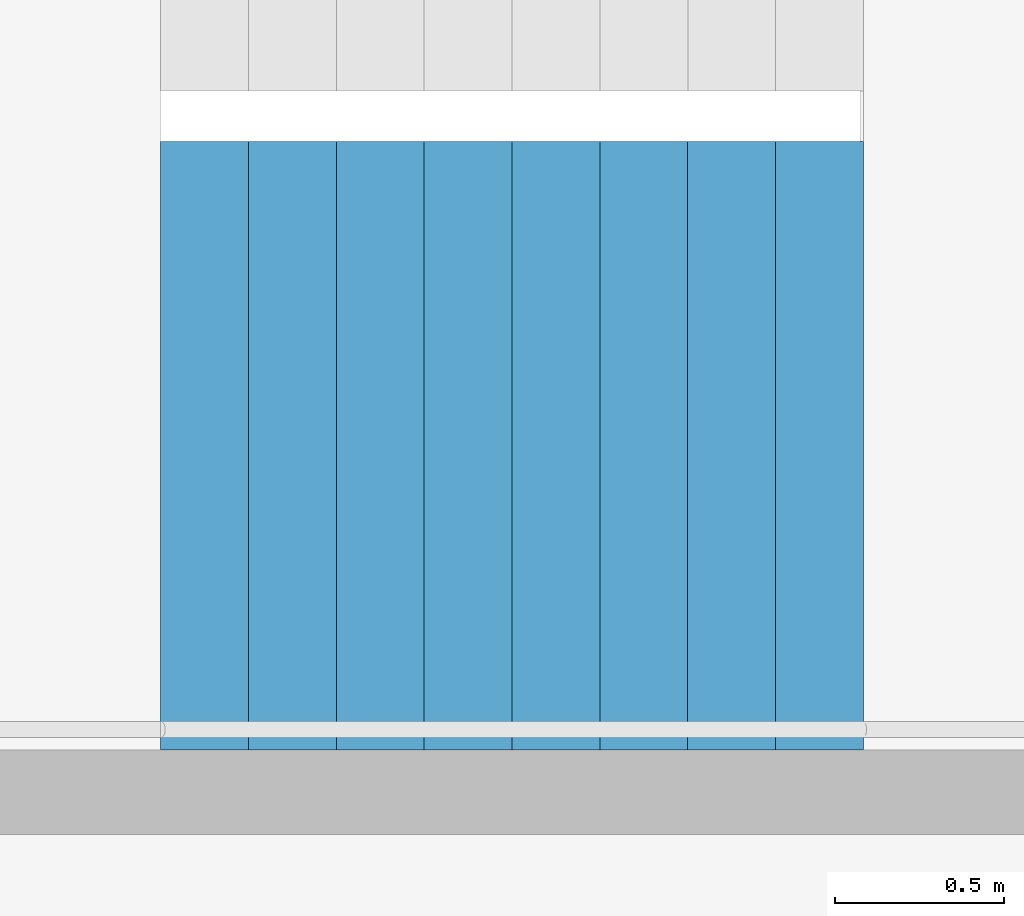
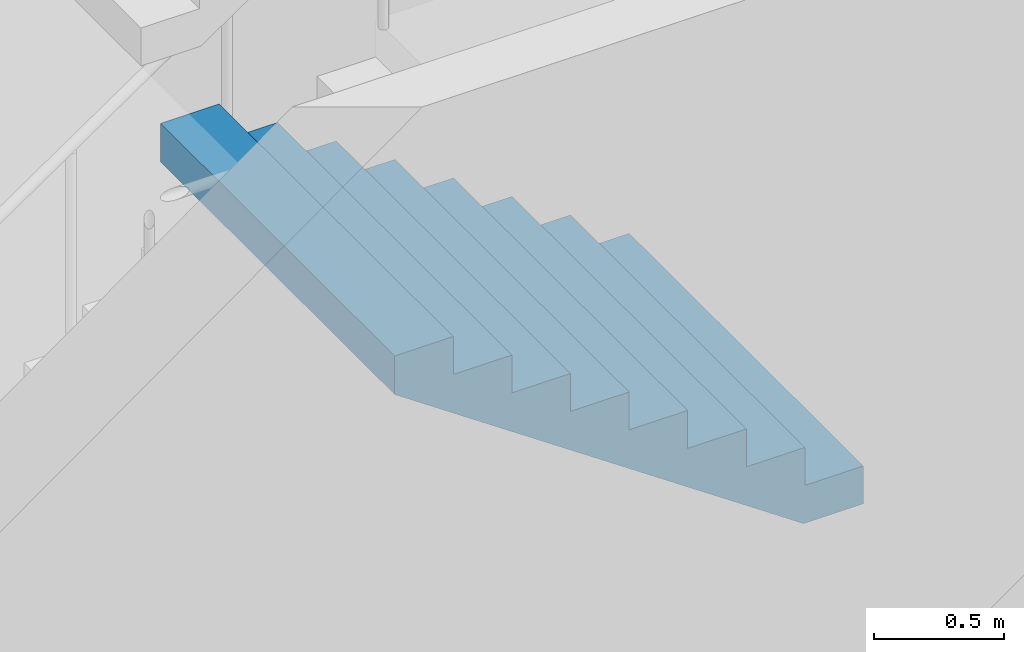
# One storey, part 28 of 41: 1 stair flight, 1 element without a shape of its own.
"""IFC4 building model written with IfcOpenShell, lengths in metres."""

from ifc_helpers import new_model, si_unit, direction, frame, origin, place, context, subcontext, project, spatial, triangles, material, type_object, element, aggregate, save


model = new_model("IFC4")

# Units and contexts
model_context = context("Model", 3, precision=1e-05, world=origin(), true_north=direction((0.0, 1.0)))
body_context = subcontext(model_context, "Body", "Model", "MODEL_VIEW")
ifc_project = project(units=[si_unit("LENGTHUNIT", "METRE"), si_unit("AREAUNIT", "SQUARE_METRE"), si_unit("VOLUMEUNIT", "CUBIC_METRE"), si_unit("PLANEANGLEUNIT", "RADIAN"), si_unit("MASSUNIT", "GRAM", prefix="KILO")], contexts=[model_context])

# Site, building, storey
site_placement = place(None, origin())
site = spatial("IfcSite", under=ifc_project, at=site_placement, CompositionType="ELEMENT")
building_placement = place(site_placement, origin())
building = spatial("IfcBuilding", under=site, at=building_placement, Name="Hakoniwa Tower and Hamabe Station Hall", CompositionType="ELEMENT")
storey_placement = place(building_placement, frame((0.0, 0.0, 180.199951171875)))
storey = spatial("IfcBuildingStorey", under=building, at=storey_placement, Name="L51", CompositionType="ELEMENT", Elevation=180.199951171875)

# Stair, stair flight
ifc_material_1 = material(Name="Concrete C40", Category="concrete")
stair_type = type_object("IfcStairType", Name="ESCAPE STAIR 1800", PredefinedType="HALF_TURN_STAIR", material=ifc_material_1)
stair_placement = place(storey_placement, origin())
stair = element("IfcStair", 1, at=stair_placement, inside=storey, type_object=stair_type, Name="Escape stair ST-3 L51", PredefinedType="HALF_TURN_STAIR")
ifc_material_2 = material(Name="Concrete C40", Category="concrete")
stair_flight_type = type_object("IfcStairFlightType", Name="STAIR FLIGHT 1800", PredefinedType="STRAIGHT", material=ifc_material_2)
stair_flight_placement = place(storey_placement, frame((24.39990234375, 4.64990234375, 3.199951171875), z_axis=(0.0, 0.0, 1.0), x_axis=(-1.0, 0.0, 0.0)))
stair_flight = element("IfcStairFlight", 2, at=stair_flight_placement, type_object=stair_flight_type, Name="ST-3 flight 3", NumberOfRisers=9, NumberOfTreads=8, PredefinedType="STRAIGHT", RiserHeight=0.177777778, TreadLength=0.26, context=body_context, shape_type="Tessellation", body=[
    triangles([(0.0, 0.89990234375, 0.0), (0.260009765625, 0.89990234375, 0.0), (0.265625, 0.89990234375, 0.0), (0.52001953125, 0.89990234375, 0.174072265625), (0.780029296875, 0.89990234375, 0.351806640625), (1.0400390625, 0.89990234375, 0.529541015625), (1.300048828125, 0.89990234375, 0.707275390625), (1.56005859375, 0.89990234375, 0.885009765625), (1.820068359375, 0.89990234375, 1.062744140625), (2.080078125, 0.89990234375, 1.24072265625), (2.080078125, 0.89990234375, 1.422119140625), (1.820068359375, 0.89990234375, 1.422119140625), (1.820068359375, 0.89990234375, 1.244384765625), (1.56005859375, 0.89990234375, 1.244384765625), (1.56005859375, 0.89990234375, 1.066650390625), (1.300048828125, 0.89990234375, 1.066650390625), (1.300048828125, 0.89990234375, 0.888916015625), (1.0400390625, 0.89990234375, 0.888916015625), (1.0400390625, 0.89990234375, 0.711181640625), (0.780029296875, 0.89990234375, 0.711181640625), (0.780029296875, 0.89990234375, 0.533447265625), (0.52001953125, 0.89990234375, 0.533447265625), (0.52001953125, 0.89990234375, 0.35546875), (0.265625, 0.89990234375, 0.35546875), (0.260009765625, 0.89990234375, 0.35546875), (0.260009765625, 0.89990234375, 0.177734375), (0.0, 0.89990234375, 0.177734375), (0.0, 0.06005859375, 0.0), (0.260009765625, 0.06005859375, 0.0), (0.265625, 0.06005859375, 0.0), (0.52001953125, 0.06005859375, 0.174072265625), (0.780029296875, 0.06005859375, 0.351806640625), (1.0400390625, 0.06005859375, 0.529541015625), (1.300048828125, 0.06005859375, 0.707275390625), (1.56005859375, 0.06005859375, 0.885009765625), (1.820068359375, 0.06005859375, 1.062744140625), (2.080078125, 0.06005859375, 1.24072265625), (2.080078125, 0.06005859375, 1.422119140625), (1.820068359375, 0.06005859375, 1.422119140625), (1.820068359375, 0.06005859375, 1.244384765625), (1.56005859375, 0.06005859375, 1.244384765625), (1.56005859375, 0.06005859375, 1.066650390625), (1.300048828125, 0.06005859375, 1.066650390625), (1.300048828125, 0.06005859375, 0.888916015625), (1.0400390625, 0.06005859375, 0.888916015625), (1.0400390625, 0.06005859375, 0.711181640625), (0.780029296875, 0.06005859375, 0.711181640625), (0.780029296875, 0.06005859375, 0.533447265625), (0.52001953125, 0.06005859375, 0.533447265625), (0.52001953125, 0.06005859375, 0.35546875), (0.265625, 0.06005859375, 0.35546875), (0.260009765625, 0.06005859375, 0.35546875), (0.260009765625, 0.06005859375, 0.177734375), (0.0, 0.06005859375, 0.177734375), (0.0, 0.04296875, 0.0), (0.260009765625, 0.04296875, 0.0), (0.265625, 0.04296875, 0.0), (0.52001953125, 0.04296875, 0.174072265625), (0.780029296875, 0.04296875, 0.351806640625), (1.0400390625, 0.04296875, 0.529541015625), (1.300048828125, 0.04296875, 0.707275390625), (1.56005859375, 0.04296875, 0.885009765625), (1.820068359375, 0.04296875, 1.062744140625), (2.080078125, 0.04296875, 1.24072265625), (2.080078125, 0.04296875, 1.422119140625), (1.820068359375, 0.04296875, 1.422119140625), (1.820068359375, 0.04296875, 1.244384765625), (1.56005859375, 0.04296875, 1.244384765625), (1.56005859375, 0.04296875, 1.066650390625), (1.300048828125, 0.04296875, 1.066650390625), (1.300048828125, 0.04296875, 0.888916015625), (1.0400390625, 0.04296875, 0.888916015625), (1.0400390625, 0.04296875, 0.711181640625), (0.780029296875, 0.04296875, 0.711181640625), (0.780029296875, 0.04296875, 0.533447265625), (0.52001953125, 0.04296875, 0.533447265625), (0.52001953125, 0.04296875, 0.35546875), (0.265625, 0.04296875, 0.35546875), (0.260009765625, 0.04296875, 0.35546875), (0.260009765625, 0.04296875, 0.177734375), (0.0, 0.04296875, 0.177734375), (0.0, 0.025634765625, 0.0), (0.260009765625, 0.025634765625, 0.0), (0.265625, 0.025634765625, 0.0), (0.52001953125, 0.025634765625, 0.174072265625), (0.780029296875, 0.025634765625, 0.351806640625), (1.0400390625, 0.025634765625, 0.529541015625), (1.300048828125, 0.025634765625, 0.707275390625), (1.56005859375, 0.025634765625, 0.885009765625), (1.820068359375, 0.025634765625, 1.062744140625), (2.080078125, 0.025634765625, 1.24072265625), (2.080078125, 0.025634765625, 1.422119140625), (1.820068359375, 0.025634765625, 1.422119140625), (1.820068359375, 0.025634765625, 1.244384765625), (1.56005859375, 0.025634765625, 1.244384765625), (1.56005859375, 0.025634765625, 1.066650390625), (1.300048828125, 0.025634765625, 1.066650390625), (1.300048828125, 0.025634765625, 0.888916015625), (1.0400390625, 0.025634765625, 0.888916015625), (1.0400390625, 0.025634765625, 0.711181640625), (0.780029296875, 0.025634765625, 0.711181640625), (0.780029296875, 0.025634765625, 0.533447265625), (0.52001953125, 0.025634765625, 0.533447265625), (0.52001953125, 0.025634765625, 0.35546875), (0.265625, 0.025634765625, 0.35546875), (0.260009765625, 0.025634765625, 0.35546875), (0.260009765625, 0.025634765625, 0.177734375), (0.0, 0.025634765625, 0.177734375), (0.0, 0.008544921875, 0.0), (0.260009765625, 0.008544921875, 0.0), (0.265625, 0.008544921875, 0.0), (0.52001953125, 0.008544921875, 0.174072265625), (0.780029296875, 0.008544921875, 0.351806640625), (1.0400390625, 0.008544921875, 0.529541015625), (1.300048828125, 0.008544921875, 0.707275390625), (1.56005859375, 0.008544921875, 0.885009765625), (1.820068359375, 0.008544921875, 1.062744140625), (2.080078125, 0.008544921875, 1.24072265625), (2.080078125, 0.008544921875, 1.422119140625), (1.820068359375, 0.008544921875, 1.422119140625), (1.820068359375, 0.008544921875, 1.244384765625), (1.56005859375, 0.008544921875, 1.244384765625), (1.56005859375, 0.008544921875, 1.066650390625), (1.300048828125, 0.008544921875, 1.066650390625), (1.300048828125, 0.008544921875, 0.888916015625), (1.0400390625, 0.008544921875, 0.888916015625), (1.0400390625, 0.008544921875, 0.711181640625), (0.780029296875, 0.008544921875, 0.711181640625), (0.780029296875, 0.008544921875, 0.533447265625), (0.52001953125, 0.008544921875, 0.533447265625), (0.52001953125, 0.008544921875, 0.35546875), (0.265625, 0.008544921875, 0.35546875), (0.260009765625, 0.008544921875, 0.35546875), (0.260009765625, 0.008544921875, 0.177734375), (0.0, 0.008544921875, 0.177734375), (0.0, -0.008544921875, 0.0), (0.260009765625, -0.008544921875, 0.0), (0.265625, -0.008544921875, 0.0), (0.52001953125, -0.008544921875, 0.174072265625), (0.780029296875, -0.008544921875, 0.351806640625), (1.0400390625, -0.008544921875, 0.529541015625), (1.300048828125, -0.008544921875, 0.707275390625), (1.56005859375, -0.008544921875, 0.885009765625), (1.820068359375, -0.008544921875, 1.062744140625), (2.080078125, -0.008544921875, 1.24072265625), (2.080078125, -0.008544921875, 1.422119140625), (1.820068359375, -0.008544921875, 1.422119140625), (1.820068359375, -0.008544921875, 1.244384765625), (1.56005859375, -0.008544921875, 1.244384765625), (1.56005859375, -0.008544921875, 1.066650390625), (1.300048828125, -0.008544921875, 1.066650390625), (1.300048828125, -0.008544921875, 0.888916015625), (1.0400390625, -0.008544921875, 0.888916015625), (1.0400390625, -0.008544921875, 0.711181640625), (0.780029296875, -0.008544921875, 0.711181640625), (0.780029296875, -0.008544921875, 0.533447265625), (0.52001953125, -0.008544921875, 0.533447265625), (0.52001953125, -0.008544921875, 0.35546875), (0.265625, -0.008544921875, 0.35546875), (0.260009765625, -0.008544921875, 0.35546875), (0.260009765625, -0.008544921875, 0.177734375), (0.0, -0.008544921875, 0.177734375), (0.0, -0.025634765625, 0.0), (0.260009765625, -0.025634765625, 0.0), (0.265625, -0.025634765625, 0.0), (0.52001953125, -0.025634765625, 0.174072265625), (0.780029296875, -0.025634765625, 0.351806640625), (1.0400390625, -0.025634765625, 0.529541015625), (1.300048828125, -0.025634765625, 0.707275390625), (1.56005859375, -0.025634765625, 0.885009765625), (1.820068359375, -0.025634765625, 1.062744140625), (2.080078125, -0.025634765625, 1.24072265625), (2.080078125, -0.025634765625, 1.422119140625), (1.820068359375, -0.025634765625, 1.422119140625), (1.820068359375, -0.025634765625, 1.244384765625), (1.56005859375, -0.025634765625, 1.244384765625), (1.56005859375, -0.025634765625, 1.066650390625), (1.300048828125, -0.025634765625, 1.066650390625), (1.300048828125, -0.025634765625, 0.888916015625), (1.0400390625, -0.025634765625, 0.888916015625), (1.0400390625, -0.025634765625, 0.711181640625), (0.780029296875, -0.025634765625, 0.711181640625), (0.780029296875, -0.025634765625, 0.533447265625), (0.52001953125, -0.025634765625, 0.533447265625), (0.52001953125, -0.025634765625, 0.35546875), (0.265625, -0.025634765625, 0.35546875), (0.260009765625, -0.025634765625, 0.35546875), (0.260009765625, -0.025634765625, 0.177734375), (0.0, -0.025634765625, 0.177734375), (0.0, -0.04296875, 0.0), (0.260009765625, -0.04296875, 0.0), (0.265625, -0.04296875, 0.0), (0.52001953125, -0.04296875, 0.174072265625), (0.780029296875, -0.04296875, 0.351806640625), (1.0400390625, -0.04296875, 0.529541015625), (1.300048828125, -0.04296875, 0.707275390625), (1.56005859375, -0.04296875, 0.885009765625), (1.820068359375, -0.04296875, 1.062744140625), (2.080078125, -0.04296875, 1.24072265625), (2.080078125, -0.04296875, 1.422119140625), (1.820068359375, -0.04296875, 1.422119140625), (1.820068359375, -0.04296875, 1.244384765625), (1.56005859375, -0.04296875, 1.244384765625), (1.56005859375, -0.04296875, 1.066650390625), (1.300048828125, -0.04296875, 1.066650390625), (1.300048828125, -0.04296875, 0.888916015625), (1.0400390625, -0.04296875, 0.888916015625), (1.0400390625, -0.04296875, 0.711181640625), (0.780029296875, -0.04296875, 0.711181640625), (0.780029296875, -0.04296875, 0.533447265625), (0.52001953125, -0.04296875, 0.533447265625), (0.52001953125, -0.04296875, 0.35546875), (0.265625, -0.04296875, 0.35546875), (0.260009765625, -0.04296875, 0.35546875), (0.260009765625, -0.04296875, 0.177734375), (0.0, -0.04296875, 0.177734375), (0.0, -0.06005859375, 0.0), (0.260009765625, -0.06005859375, 0.0), (0.265625, -0.06005859375, 0.0), (0.52001953125, -0.06005859375, 0.174072265625), (0.780029296875, -0.06005859375, 0.351806640625), (1.0400390625, -0.06005859375, 0.529541015625), (1.300048828125, -0.06005859375, 0.707275390625), (1.56005859375, -0.06005859375, 0.885009765625), (1.820068359375, -0.06005859375, 1.062744140625), (2.080078125, -0.06005859375, 1.24072265625), (2.080078125, -0.06005859375, 1.422119140625), (1.820068359375, -0.06005859375, 1.422119140625), (1.820068359375, -0.06005859375, 1.244384765625), (1.56005859375, -0.06005859375, 1.244384765625), (1.56005859375, -0.06005859375, 1.066650390625), (1.300048828125, -0.06005859375, 1.066650390625), (1.300048828125, -0.06005859375, 0.888916015625), (1.0400390625, -0.06005859375, 0.888916015625), (1.0400390625, -0.06005859375, 0.711181640625), (0.780029296875, -0.06005859375, 0.711181640625), (0.780029296875, -0.06005859375, 0.533447265625), (0.52001953125, -0.06005859375, 0.533447265625), (0.52001953125, -0.06005859375, 0.35546875), (0.265625, -0.06005859375, 0.35546875), (0.260009765625, -0.06005859375, 0.35546875), (0.260009765625, -0.06005859375, 0.177734375), (0.0, -0.06005859375, 0.177734375), (0.0, -0.89990234375, 0.0), (0.260009765625, -0.89990234375, 0.0), (0.265625, -0.89990234375, 0.0), (0.52001953125, -0.89990234375, 0.174072265625), (0.780029296875, -0.89990234375, 0.351806640625), (1.0400390625, -0.89990234375, 0.529541015625), (1.300048828125, -0.89990234375, 0.707275390625), (1.56005859375, -0.89990234375, 0.885009765625), (1.820068359375, -0.89990234375, 1.062744140625), (2.080078125, -0.89990234375, 1.24072265625), (2.080078125, -0.89990234375, 1.422119140625), (1.820068359375, -0.89990234375, 1.422119140625), (1.820068359375, -0.89990234375, 1.244384765625), (1.56005859375, -0.89990234375, 1.244384765625), (1.56005859375, -0.89990234375, 1.066650390625), (1.300048828125, -0.89990234375, 1.066650390625), (1.300048828125, -0.89990234375, 0.888916015625), (1.0400390625, -0.89990234375, 0.888916015625), (1.0400390625, -0.89990234375, 0.711181640625), (0.780029296875, -0.89990234375, 0.711181640625), (0.780029296875, -0.89990234375, 0.533447265625), (0.52001953125, -0.89990234375, 0.533447265625), (0.52001953125, -0.89990234375, 0.35546875), (0.265625, -0.89990234375, 0.35546875), (0.260009765625, -0.89990234375, 0.35546875), (0.260009765625, -0.89990234375, 0.177734375), (0.0, -0.89990234375, 0.177734375)], [[2, 27, 26], [245, 269, 270], [2, 1, 27], [245, 270, 244], [3, 25, 24], [246, 267, 268], [3, 26, 25], [246, 268, 269], [3, 2, 26], [246, 269, 245], [4, 24, 23], [247, 266, 267], [4, 3, 24], [247, 267, 246], [5, 22, 21], [248, 264, 265], [5, 23, 22], [248, 265, 266], [5, 4, 23], [248, 266, 247], [6, 20, 19], [249, 262, 263], [6, 21, 20], [249, 263, 264], [6, 5, 21], [249, 264, 248], [7, 18, 17], [250, 260, 261], [7, 19, 18], [250, 261, 262], [7, 6, 19], [250, 262, 249], [8, 16, 15], [251, 258, 259], [8, 17, 16], [251, 259, 260], [8, 7, 17], [251, 260, 250], [9, 14, 13], [252, 256, 257], [9, 15, 14], [252, 257, 258], [9, 8, 15], [252, 258, 251], [10, 12, 11], [253, 254, 255], [10, 13, 12], [253, 255, 256], [10, 9, 13], [253, 256, 252], [1, 2, 29], [1, 29, 28], [28, 29, 56], [28, 56, 55], [55, 56, 83], [55, 83, 82], [82, 83, 110], [82, 110, 109], [109, 110, 137], [109, 137, 136], [136, 137, 164], [136, 164, 163], [163, 164, 191], [163, 191, 190], [190, 191, 218], [190, 218, 217], [217, 218, 245], [217, 245, 244], [2, 3, 30], [2, 30, 29], [29, 30, 57], [29, 57, 56], [56, 57, 84], [56, 84, 83], [83, 84, 111], [83, 111, 110], [110, 111, 138], [110, 138, 137], [137, 138, 165], [137, 165, 164], [164, 165, 192], [164, 192, 191], [191, 192, 219], [191, 219, 218], [218, 219, 246], [218, 246, 245], [3, 4, 31], [3, 31, 30], [30, 31, 58], [30, 58, 57], [57, 58, 85], [57, 85, 84], [84, 85, 112], [84, 112, 111], [111, 112, 139], [111, 139, 138], [138, 139, 166], [138, 166, 165], [165, 166, 193], [165, 193, 192], [192, 193, 220], [192, 220, 219], [219, 220, 247], [219, 247, 246], [4, 5, 32], [4, 32, 31], [31, 32, 59], [31, 59, 58], [58, 59, 86], [58, 86, 85], [85, 86, 113], [85, 113, 112], [112, 113, 140], [112, 140, 139], [139, 140, 167], [139, 167, 166], [166, 167, 194], [166, 194, 193], [193, 194, 221], [193, 221, 220], [220, 221, 248], [220, 248, 247], [5, 6, 33], [5, 33, 32], [32, 33, 60], [32, 60, 59], [59, 60, 87], [59, 87, 86], [86, 87, 114], [86, 114, 113], [113, 114, 141], [113, 141, 140], [140, 141, 168], [140, 168, 167], [167, 168, 195], [167, 195, 194], [194, 195, 222], [194, 222, 221], [221, 222, 249], [221, 249, 248], [6, 7, 34], [6, 34, 33], [33, 34, 61], [33, 61, 60], [60, 61, 88], [60, 88, 87], [87, 88, 115], [87, 115, 114], [114, 115, 142], [114, 142, 141], [141, 142, 169], [141, 169, 168], [168, 169, 196], [168, 196, 195], [195, 196, 223], [195, 223, 222], [222, 223, 250], [222, 250, 249], [7, 8, 35], [7, 35, 34], [34, 35, 62], [34, 62, 61], [61, 62, 89], [61, 89, 88], [88, 89, 116], [88, 116, 115], [115, 116, 143], [115, 143, 142], [142, 143, 170], [142, 170, 169], [169, 170, 197], [169, 197, 196], [196, 197, 224], [196, 224, 223], [223, 224, 251], [223, 251, 250], [8, 9, 36], [8, 36, 35], [35, 36, 63], [35, 63, 62], [62, 63, 90], [62, 90, 89], [89, 90, 117], [89, 117, 116], [116, 117, 144], [116, 144, 143], [143, 144, 171], [143, 171, 170], [170, 171, 198], [170, 198, 197], [197, 198, 225], [197, 225, 224], [224, 225, 252], [224, 252, 251], [9, 10, 37], [9, 37, 36], [36, 37, 64], [36, 64, 63], [63, 64, 91], [63, 91, 90], [90, 91, 118], [90, 118, 117], [117, 118, 145], [117, 145, 144], [144, 145, 172], [144, 172, 171], [171, 172, 199], [171, 199, 198], [198, 199, 226], [198, 226, 225], [225, 226, 253], [225, 253, 252], [10, 11, 38], [10, 38, 37], [37, 38, 65], [37, 65, 64], [64, 65, 92], [64, 92, 91], [91, 92, 119], [91, 119, 118], [118, 119, 146], [118, 146, 145], [145, 146, 173], [145, 173, 172], [172, 173, 200], [172, 200, 199], [199, 200, 227], [199, 227, 226], [226, 227, 254], [226, 254, 253], [11, 12, 39], [11, 39, 38], [38, 39, 66], [38, 66, 65], [65, 66, 93], [65, 93, 92], [92, 93, 120], [92, 120, 119], [119, 120, 147], [119, 147, 146], [146, 147, 174], [146, 174, 173], [173, 174, 201], [173, 201, 200], [200, 201, 228], [200, 228, 227], [227, 228, 255], [227, 255, 254], [12, 13, 40], [12, 40, 39], [39, 40, 67], [39, 67, 66], [66, 67, 94], [66, 94, 93], [93, 94, 121], [93, 121, 120], [120, 121, 148], [120, 148, 147], [147, 148, 175], [147, 175, 174], [174, 175, 202], [174, 202, 201], [201, 202, 229], [201, 229, 228], [228, 229, 256], [228, 256, 255], [13, 14, 41], [13, 41, 40], [40, 41, 68], [40, 68, 67], [67, 68, 95], [67, 95, 94], [94, 95, 122], [94, 122, 121], [121, 122, 149], [121, 149, 148], [148, 149, 176], [148, 176, 175], [175, 176, 203], [175, 203, 202], [202, 203, 230], [202, 230, 229], [229, 230, 257], [229, 257, 256], [14, 15, 42], [14, 42, 41], [41, 42, 69], [41, 69, 68], [68, 69, 96], [68, 96, 95], [95, 96, 123], [95, 123, 122], [122, 123, 150], [122, 150, 149], [149, 150, 177], [149, 177, 176], [176, 177, 204], [176, 204, 203], [203, 204, 231], [203, 231, 230], [230, 231, 258], [230, 258, 257], [15, 16, 43], [15, 43, 42], [42, 43, 70], [42, 70, 69], [69, 70, 97], [69, 97, 96], [96, 97, 124], [96, 124, 123], [123, 124, 151], [123, 151, 150], [150, 151, 178], [150, 178, 177], [177, 178, 205], [177, 205, 204], [204, 205, 232], [204, 232, 231], [231, 232, 259], [231, 259, 258], [16, 17, 44], [16, 44, 43], [43, 44, 71], [43, 71, 70], [70, 71, 98], [70, 98, 97], [97, 98, 125], [97, 125, 124], [124, 125, 152], [124, 152, 151], [151, 152, 179], [151, 179, 178], [178, 179, 206], [178, 206, 205], [205, 206, 233], [205, 233, 232], [232, 233, 260], [232, 260, 259], [17, 18, 45], [17, 45, 44], [44, 45, 72], [44, 72, 71], [71, 72, 99], [71, 99, 98], [98, 99, 126], [98, 126, 125], [125, 126, 153], [125, 153, 152], [152, 153, 180], [152, 180, 179], [179, 180, 207], [179, 207, 206], [206, 207, 234], [206, 234, 233], [233, 234, 261], [233, 261, 260], [18, 19, 46], [18, 46, 45], [45, 46, 73], [45, 73, 72], [72, 73, 100], [72, 100, 99], [99, 100, 127], [99, 127, 126], [126, 127, 154], [126, 154, 153], [153, 154, 181], [153, 181, 180], [180, 181, 208], [180, 208, 207], [207, 208, 235], [207, 235, 234], [234, 235, 262], [234, 262, 261], [19, 20, 47], [19, 47, 46], [46, 47, 74], [46, 74, 73], [73, 74, 101], [73, 101, 100], [100, 101, 128], [100, 128, 127], [127, 128, 155], [127, 155, 154], [154, 155, 182], [154, 182, 181], [181, 182, 209], [181, 209, 208], [208, 209, 236], [208, 236, 235], [235, 236, 263], [235, 263, 262], [20, 21, 48], [20, 48, 47], [47, 48, 75], [47, 75, 74], [74, 75, 102], [74, 102, 101], [101, 102, 129], [101, 129, 128], [128, 129, 156], [128, 156, 155], [155, 156, 183], [155, 183, 182], [182, 183, 210], [182, 210, 209], [209, 210, 237], [209, 237, 236], [236, 237, 264], [236, 264, 263], [21, 22, 49], [21, 49, 48], [48, 49, 76], [48, 76, 75], [75, 76, 103], [75, 103, 102], [102, 103, 130], [102, 130, 129], [129, 130, 157], [129, 157, 156], [156, 157, 184], [156, 184, 183], [183, 184, 211], [183, 211, 210], [210, 211, 238], [210, 238, 237], [237, 238, 265], [237, 265, 264], [22, 23, 50], [22, 50, 49], [49, 50, 77], [49, 77, 76], [76, 77, 104], [76, 104, 103], [103, 104, 131], [103, 131, 130], [130, 131, 158], [130, 158, 157], [157, 158, 185], [157, 185, 184], [184, 185, 212], [184, 212, 211], [211, 212, 239], [211, 239, 238], [238, 239, 266], [238, 266, 265], [23, 24, 51], [23, 51, 50], [50, 51, 78], [50, 78, 77], [77, 78, 105], [77, 105, 104], [104, 105, 132], [104, 132, 131], [131, 132, 159], [131, 159, 158], [158, 159, 186], [158, 186, 185], [185, 186, 213], [185, 213, 212], [212, 213, 240], [212, 240, 239], [239, 240, 267], [239, 267, 266], [24, 25, 52], [24, 52, 51], [51, 52, 79], [51, 79, 78], [78, 79, 106], [78, 106, 105], [105, 106, 133], [105, 133, 132], [132, 133, 160], [132, 160, 159], [159, 160, 187], [159, 187, 186], [186, 187, 214], [186, 214, 213], [213, 214, 241], [213, 241, 240], [240, 241, 268], [240, 268, 267], [25, 26, 53], [25, 53, 52], [52, 53, 80], [52, 80, 79], [79, 80, 107], [79, 107, 106], [106, 107, 134], [106, 134, 133], [133, 134, 161], [133, 161, 160], [160, 161, 188], [160, 188, 187], [187, 188, 215], [187, 215, 214], [214, 215, 242], [214, 242, 241], [241, 242, 269], [241, 269, 268], [26, 27, 54], [26, 54, 53], [53, 54, 81], [53, 81, 80], [80, 81, 108], [80, 108, 107], [107, 108, 135], [107, 135, 134], [134, 135, 162], [134, 162, 161], [161, 162, 189], [161, 189, 188], [188, 189, 216], [188, 216, 215], [215, 216, 243], [215, 243, 242], [242, 243, 270], [242, 270, 269], [27, 1, 28], [27, 28, 54], [54, 28, 55], [54, 55, 81], [81, 55, 82], [81, 82, 108], [108, 82, 109], [108, 109, 135], [135, 109, 136], [135, 136, 162], [162, 136, 163], [162, 163, 189], [189, 163, 190], [189, 190, 216], [216, 190, 217], [216, 217, 243], [243, 217, 244], [243, 244, 270]], closed=True),
])
aggregate(stair, [stair_flight])

save(model, "model.ifc")
